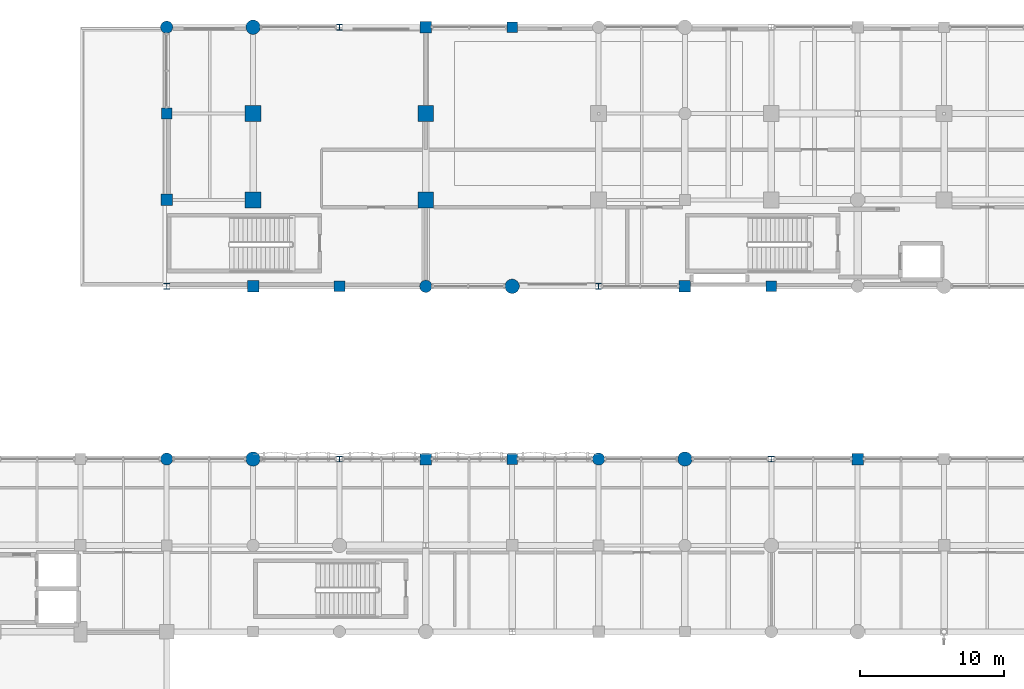
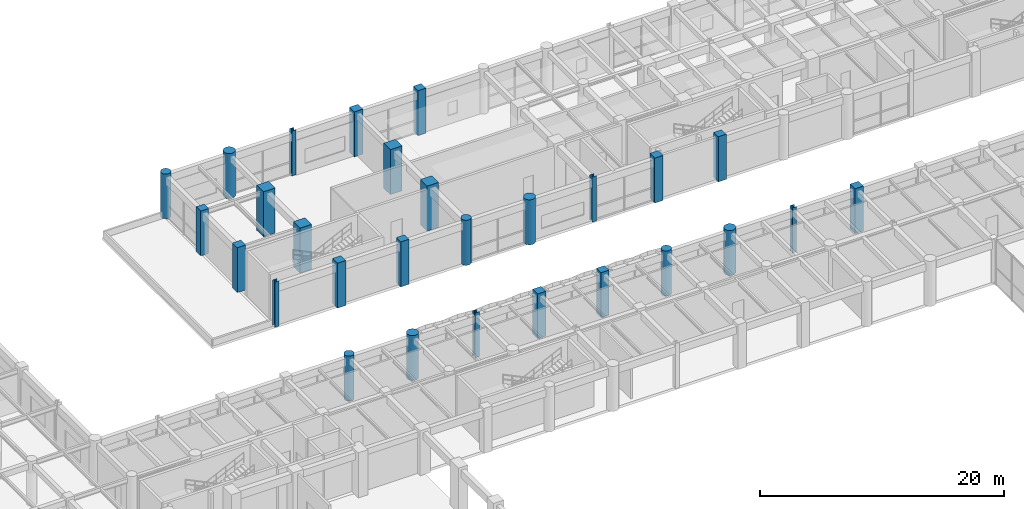
# One storey, part 12 of 133: 28 columns.
"""IFC4 building model written with IfcOpenShell, lengths in metres."""

from ifc_helpers import new_model, si_unit, direction, frame, origin, origin_2d, place, context, subcontext, project, spatial, rectangle, circle, i_section, extrude, material, material_profile, profile_set, type_object, element, save


model = new_model("IFC4")

# Units and contexts
model_context = context("Model", 3, precision=1e-05, world=origin(), true_north=direction((0.0, 1.0)))
body_context = subcontext(model_context, "Body", "Model", "MODEL_VIEW")
ifc_project = project(units=[si_unit("LENGTHUNIT", "METRE"), si_unit("AREAUNIT", "SQUARE_METRE"), si_unit("VOLUMEUNIT", "CUBIC_METRE"), si_unit("PLANEANGLEUNIT", "RADIAN"), si_unit("MASSUNIT", "GRAM", prefix="KILO"), si_unit("THERMODYNAMICTEMPERATUREUNIT", "KELVIN"), si_unit("POWERUNIT", "WATT")], contexts=[model_context])

# Site, building, storey
site_placement = place(None, origin())
site = spatial("IfcSite", under=ifc_project, at=site_placement, CompositionType="ELEMENT")
building_placement = place(site_placement, origin())
building = spatial("IfcBuilding", under=site, at=building_placement, Name="Phaisarnlok Congress Hotel", CompositionType="ELEMENT")
storey_placement = place(building_placement, frame((0.0, 0.0, 6.0)))
storey = spatial("IfcBuildingStorey", under=building, at=storey_placement, Name="L01", CompositionType="ELEMENT", Elevation=6.0)

# Columns
ifc_material_1 = material(Name="Concrete C50/60", Category="concrete")
ifc_material_profile_1 = material_profile(ifc_material_1, rectangle(XDim=1.10009765625, YDim=1.10009765625, at=origin_2d()), Name="RC 1100x1100")
ifc_profile_set_1 = profile_set([ifc_material_profile_1], Name="Concrete C50/60")
column_type_1 = type_object("IfcColumnType", Name="COL-RC-1100", PredefinedType="COLUMN", material=ifc_profile_set_1)
for number, where, z_axis, x_axis, name in (
    (1, (72.0, 114.0, 0.0), (0.0, 0.0, 1.0), (1.0, 0.0, 0.0), "Column C-10 (L01)"),
    (2, (72.0, 120.0, 0.0), (0.0, 0.0, 1.0), (1.0, 0.0, 0.0), "Column C-10 (L01)"),
    (3, (84.0, 114.0, 0.0), (0.0, 0.0, 1.0), (1.0, 0.0, 0.0), "Column C-10 (L01)"),
    (4, (84.0, 120.0, 0.0), (0.0, 0.0, 1.0), (1.0, 0.0, 0.0), "Column C-10 (L01)"),
):
    element("IfcColumn", number, at=place(storey_placement, frame(where, z_axis=z_axis, x_axis=x_axis)), inside=storey, type_object=column_type_1, Name=name, PredefinedType="COLUMN", context=body_context, shape_type="SweptSolid", body=[
        extrude(rectangle(XDim=1.10009765625, YDim=1.10009765625, at=origin_2d()), origin(), (0.0, 0.0, 1.0), 4.5),
    ])
ifc_material_profile_2 = material_profile(ifc_material_1, rectangle(XDim=0.75, YDim=0.75, at=origin_2d()), Name="RC 750x750")
ifc_profile_set_2 = profile_set([ifc_material_profile_2], Name="Concrete C50/60")
column_type_2 = type_object("IfcColumnType", Name="COL-RC-750", PredefinedType="COLUMN", material=ifc_profile_set_2)
for number, where, z_axis, x_axis, name in (
    (5, (66.0, 120.0, 0.0), (0.0, 0.0, 1.0), (1.0, 0.0, 0.0), "Column C-06 (L01)"),
    (6, (78.0, 108.0, 0.0), (0.0, 0.0, 1.0), (1.0, 0.0, 0.0), "Column C-06 (L01)"),
    (7, (90.0, 96.0, 0.0), (0.0, 0.0, 1.0), (1.0, 0.0, 0.0), "Column C-06 (L01)"),
    (8, (108.0, 108.0, 0.0), (0.0, 0.0, 1.0), (1.0, 0.0, 0.0), "Column C-06 (L01)"),
):
    element("IfcColumn", number, at=place(storey_placement, frame(where, z_axis=z_axis, x_axis=x_axis)), inside=storey, type_object=column_type_2, Name=name, PredefinedType="COLUMN", context=body_context, shape_type="SweptSolid", body=[
        extrude(rectangle(XDim=0.75, YDim=0.75, at=origin_2d()), origin(), (0.0, 0.0, 1.0), 4.5),
    ])
ifc_material_profile_3 = material_profile(ifc_material_1, rectangle(XDim=0.75, YDim=0.75, at=origin_2d()), Name="RC 750x750")
ifc_profile_set_3 = profile_set([ifc_material_profile_3], Name="Concrete C50/60")
column_type_3 = type_object("IfcColumnType", Name="COL-RC-750-EXT", PredefinedType="COLUMN", material=ifc_profile_set_3)
column_1_placement = place(storey_placement, frame((90.0, 126.0, 0.0), z_axis=(0.0, 0.0, 1.0), x_axis=(1.0, 0.0, 0.0)))
element("IfcColumn", 9, at=column_1_placement, inside=storey, type_object=column_type_3, Name="Column C-06E (L01)", PredefinedType="COLUMN", context=body_context, shape_type="SweptSolid", body=[
    extrude(rectangle(XDim=0.75, YDim=0.75, at=origin_2d()), origin(), (0.0, 0.0, 1.0), 4.5),
])
ifc_material_profile_4 = material_profile(ifc_material_1, rectangle(XDim=0.800048828125, YDim=0.800048828125, at=origin_2d()), Name="RC 800x800")
ifc_profile_set_4 = profile_set([ifc_material_profile_4], Name="Concrete C50/60")
column_type_4 = type_object("IfcColumnType", Name="COL-RC-800", PredefinedType="COLUMN", material=ifc_profile_set_4)
for number, where, z_axis, x_axis, name in (
    (10, (66.0, 114.0, 0.0), (0.0, 0.0, 1.0), (1.0, 0.0, 0.0), "Column C-07 (L01)"),
    (11, (72.0, 108.0, 0.0), (0.0, 0.0, 1.0), (1.0, 0.0, 0.0), "Column C-07 (L01)"),
    (12, (84.0, 96.0, 0.0), (0.0, 0.0, 1.0), (1.0, 0.0, 0.0), "Column C-07 (L01)"),
    (13, (102.0, 108.0, 0.0), (0.0, 0.0, 1.0), (1.0, 0.0, 0.0), "Column C-07 (L01)"),
    (14, (114.0, 96.0, 0.0), (0.0, 0.0, 1.0), (1.0, 0.0, 0.0), "Column C-07 (L01)"),
):
    element("IfcColumn", number, at=place(storey_placement, frame(where, z_axis=z_axis, x_axis=x_axis)), inside=storey, type_object=column_type_4, Name=name, PredefinedType="COLUMN", context=body_context, shape_type="SweptSolid", body=[
        extrude(rectangle(XDim=0.800048828125, YDim=0.800048828125, at=origin_2d()), origin(), (0.0, 0.0, 1.0), 4.5),
    ])
ifc_material_profile_5 = material_profile(ifc_material_1, rectangle(XDim=0.800048828125, YDim=0.800048828125, at=origin_2d()), Name="RC 800x800")
ifc_profile_set_5 = profile_set([ifc_material_profile_5], Name="Concrete C50/60")
column_type_5 = type_object("IfcColumnType", Name="COL-RC-800-EXT", PredefinedType="COLUMN", material=ifc_profile_set_5)
column_2_placement = place(storey_placement, frame((84.0, 126.0, 0.0), z_axis=(0.0, 0.0, 1.0), x_axis=(1.0, 0.0, 0.0)))
element("IfcColumn", 15, at=column_2_placement, inside=storey, type_object=column_type_5, Name="Column C-07E (L01)", PredefinedType="COLUMN", context=body_context, shape_type="SweptSolid", body=[
    extrude(rectangle(XDim=0.800048828125, YDim=0.800048828125, at=origin_2d()), origin(), (0.0, 0.0, 1.0), 4.5),
])
ifc_material_profile_6 = material_profile(ifc_material_1, circle(Radius=0.5, at=origin_2d()), Name="RCC D1000")
ifc_profile_set_6 = profile_set([ifc_material_profile_6], Name="Concrete C50/60")
column_type_6 = type_object("IfcColumnType", Name="COL-RCC-1000", PredefinedType="COLUMN", material=ifc_profile_set_6)
for number, where, z_axis, x_axis, name in (
    (16, (72.0, 96.0, 0.0), (0.0, 0.0, 1.0), (1.0, 0.0, 0.0), "Column C-15 (L01)"),
    (17, (90.0, 108.0, 0.0), (0.0, 0.0, 1.0), (1.0, 0.0, 0.0), "Column C-15 (L01)"),
    (18, (102.0, 96.0, 0.0), (0.0, 0.0, 1.0), (1.0, 0.0, 0.0), "Column C-15 (L01)"),
):
    element("IfcColumn", number, at=place(storey_placement, frame(where, z_axis=z_axis, x_axis=x_axis)), inside=storey, type_object=column_type_6, Name=name, PredefinedType="COLUMN", context=body_context, shape_type="SweptSolid", body=[
        extrude(circle(Radius=0.5, at=origin_2d()), origin(), (0.0, 0.0, 1.0), 4.5),
    ])
ifc_material_profile_7 = material_profile(ifc_material_1, circle(Radius=0.5, at=origin_2d()), Name="RCC D1000")
ifc_profile_set_7 = profile_set([ifc_material_profile_7], Name="Concrete C50/60")
column_type_7 = type_object("IfcColumnType", Name="COL-RCC-1000-EXT", PredefinedType="COLUMN", material=ifc_profile_set_7)
column_3_placement = place(storey_placement, frame((72.0, 126.0, 0.0), z_axis=(0.0, 0.0, 1.0), x_axis=(1.0, 0.0, 0.0)))
element("IfcColumn", 19, at=column_3_placement, inside=storey, type_object=column_type_7, Name="Column C-15E (L01)", PredefinedType="COLUMN", context=body_context, shape_type="SweptSolid", body=[
    extrude(circle(Radius=0.5, at=origin_2d()), origin(), (0.0, 0.0, 1.0), 4.5),
])
ifc_material_profile_8 = material_profile(ifc_material_1, circle(Radius=0.425048828125, at=origin_2d()), Name="RCC D850")
ifc_profile_set_8 = profile_set([ifc_material_profile_8], Name="Concrete C50/60")
column_type_8 = type_object("IfcColumnType", Name="COL-RCC-850", PredefinedType="COLUMN", material=ifc_profile_set_8)
for number, where, z_axis, x_axis, name in (
    (20, (66.0, 96.0, 0.0), (0.0, 0.0, 1.0), (1.0, 0.0, 0.0), "Column C-14 (L01)"),
    (21, (84.0, 108.0, 0.0), (0.0, 0.0, 1.0), (1.0, 0.0, 0.0), "Column C-14 (L01)"),
    (22, (96.0, 96.0, 0.0), (0.0, 0.0, 1.0), (1.0, 0.0, 0.0), "Column C-14 (L01)"),
):
    element("IfcColumn", number, at=place(storey_placement, frame(where, z_axis=z_axis, x_axis=x_axis)), inside=storey, type_object=column_type_8, Name=name, PredefinedType="COLUMN", context=body_context, shape_type="SweptSolid", body=[
        extrude(circle(Radius=0.425048828125, at=origin_2d()), origin(), (0.0, 0.0, 1.0), 4.5),
    ])
ifc_material_profile_9 = material_profile(ifc_material_1, circle(Radius=0.425048828125, at=origin_2d()), Name="RCC D850")
ifc_profile_set_9 = profile_set([ifc_material_profile_9], Name="Concrete C50/60")
column_type_9 = type_object("IfcColumnType", Name="COL-RCC-850-EXT", PredefinedType="COLUMN", material=ifc_profile_set_9)
column_4_placement = place(storey_placement, frame((66.0, 126.0, 0.0), z_axis=(0.0, 0.0, 1.0), x_axis=(1.0, 0.0, 0.0)))
element("IfcColumn", 23, at=column_4_placement, inside=storey, type_object=column_type_9, Name="Column C-14E (L01)", PredefinedType="COLUMN", context=body_context, shape_type="SweptSolid", body=[
    extrude(circle(Radius=0.425048828125, at=origin_2d()), origin(), (0.0, 0.0, 1.0), 4.5),
])
ifc_material_2 = material(Name="Steel S355", Category="steel")
ifc_material_profile_10 = material_profile(ifc_material_2, i_section(OverallWidth=0.40087890625, OverallDepth=0.39892578125, WebThickness=0.0185546875, FlangeThickness=0.030029296875, FilletRadius=0.014892578125, at=origin_2d()), Name="HD 400x314")
ifc_profile_set_10 = profile_set([ifc_material_profile_10], Name="Steel S355")
column_type_10 = type_object("IfcColumnType", Name="COL-STL-HD314", PredefinedType="COLUMN", material=ifc_profile_set_10)
for number, where, z_axis, x_axis, name in (
    (24, (66.0, 108.0, 0.0), (0.0, 0.0, 1.0), (1.0, 0.0, 0.0), "Column SC-04 (L01)"),
    (25, (78.0, 96.0, 0.0), (0.0, 0.0, 1.0), (1.0, 0.0, 0.0), "Column SC-04 (L01)"),
    (26, (96.0, 108.0, 0.0), (0.0, 0.0, 1.0), (1.0, 0.0, 0.0), "Column SC-04 (L01)"),
    (27, (108.0, 96.0, 0.0), (0.0, 0.0, 1.0), (1.0, 0.0, 0.0), "Column SC-04 (L01)"),
):
    element("IfcColumn", number, at=place(storey_placement, frame(where, z_axis=z_axis, x_axis=x_axis)), inside=storey, type_object=column_type_10, Name=name, PredefinedType="COLUMN", context=body_context, shape_type="SweptSolid", body=[
        extrude(i_section(OverallWidth=0.40087890625, OverallDepth=0.39892578125, WebThickness=0.0185546875, FlangeThickness=0.030029296875, FilletRadius=0.014892578125, at=origin_2d()), origin(), (0.0, 0.0, 1.0), 4.5),
    ])
ifc_material_profile_11 = material_profile(ifc_material_2, i_section(OverallWidth=0.40087890625, OverallDepth=0.39892578125, WebThickness=0.0185546875, FlangeThickness=0.030029296875, FilletRadius=0.014892578125, at=origin_2d()), Name="HD 400x314")
ifc_profile_set_11 = profile_set([ifc_material_profile_11], Name="Steel S355")
column_type_11 = type_object("IfcColumnType", Name="COL-STL-HD314-EXT", PredefinedType="COLUMN", material=ifc_profile_set_11)
column_5_placement = place(storey_placement, frame((78.0, 126.0, 0.0), z_axis=(0.0, 0.0, 1.0), x_axis=(1.0, 0.0, 0.0)))
element("IfcColumn", 28, at=column_5_placement, inside=storey, type_object=column_type_11, Name="Column SC-04E (L01)", PredefinedType="COLUMN", context=body_context, shape_type="SweptSolid", body=[
    extrude(i_section(OverallWidth=0.40087890625, OverallDepth=0.39892578125, WebThickness=0.0185546875, FlangeThickness=0.030029296875, FilletRadius=0.014892578125, at=origin_2d()), origin(), (0.0, 0.0, 1.0), 4.5),
])

save(model, "model.ifc")
